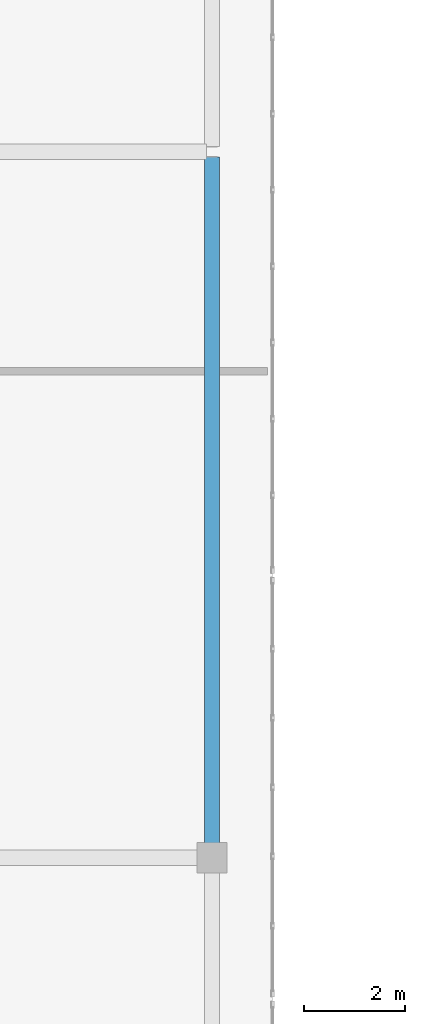
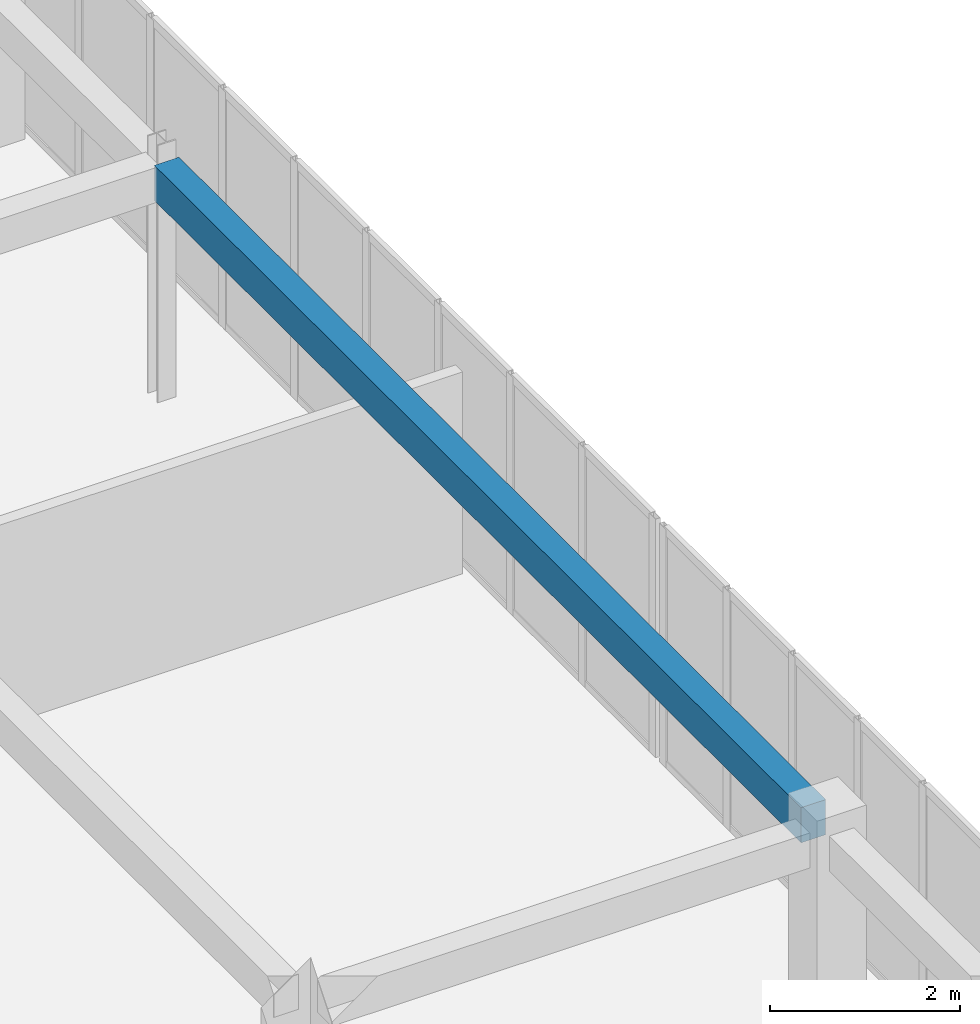
# One storey, part 74 of 200: 1 beam.
"""IFC4 building model written with IfcOpenShell, lengths in metres."""

from ifc_helpers import new_model, si_unit, direction, frame, origin, origin_2d, place, context, subcontext, project, spatial, rectangle, extrude, material, material_profile, profile_set, type_object, element, save


model = new_model("IFC4")

# Units and contexts
model_context = context("Model", 3, precision=1e-05, world=origin(), true_north=direction((0.0, 1.0)))
body_context = subcontext(model_context, "Body", "Model", "MODEL_VIEW")
ifc_project = project(units=[si_unit("LENGTHUNIT", "METRE"), si_unit("AREAUNIT", "SQUARE_METRE"), si_unit("VOLUMEUNIT", "CUBIC_METRE"), si_unit("PLANEANGLEUNIT", "RADIAN"), si_unit("MASSUNIT", "GRAM", prefix="KILO")], contexts=[model_context])

# Site, building, storey
site_placement = place(None, origin())
site = spatial("IfcSite", under=ifc_project, at=site_placement, CompositionType="ELEMENT")
building_placement = place(site_placement, origin())
building = spatial("IfcBuilding", under=site, at=building_placement, Name="Trelvath General Hospital", CompositionType="ELEMENT")
storey_placement = place(building_placement, frame((0.0, 0.0, 4.800048828125)))
storey = spatial("IfcBuildingStorey", under=building, at=storey_placement, Name="L01", CompositionType="ELEMENT", Elevation=4.800048828125)

# Beam
ifc_material = material(Name="Concrete C35/45", Category="concrete")
ifc_material_profile = material_profile(ifc_material, rectangle(XDim=0.300048828125, YDim=0.449951171875, at=origin_2d()), Name="RCB300x450")
ifc_profile_set = profile_set([ifc_material_profile], Name="Concrete C35/45")
beam_type = type_object("IfcBeamType", Name="Beam RC300x450", PredefinedType="BEAM", material=ifc_profile_set)
beam_placement = place(storey_placement, frame((120.0, 45.095947265625, 2.8349609375), z_axis=(0.0, 1.0, 0.0), x_axis=(-1.0, 0.0, 0.0)))
element("IfcBeam", 1, at=beam_placement, inside=storey, type_object=beam_type, Name="Cube Interior Ring Beam CUBE-E-T0 L01", PredefinedType="BEAM", context=body_context, shape_type="SweptSolid", body=[
    extrude(rectangle(XDim=0.300048828125, YDim=0.449951171875, at=origin_2d()), origin(), (0.0, 0.0, 1.0), 13.59814453125),
])

save(model, "model.ifc")
